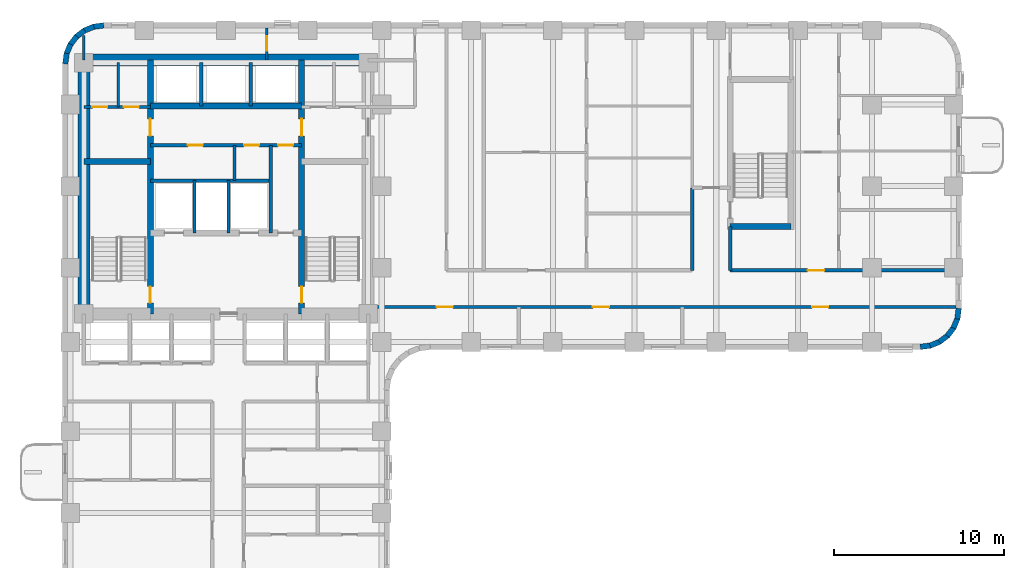
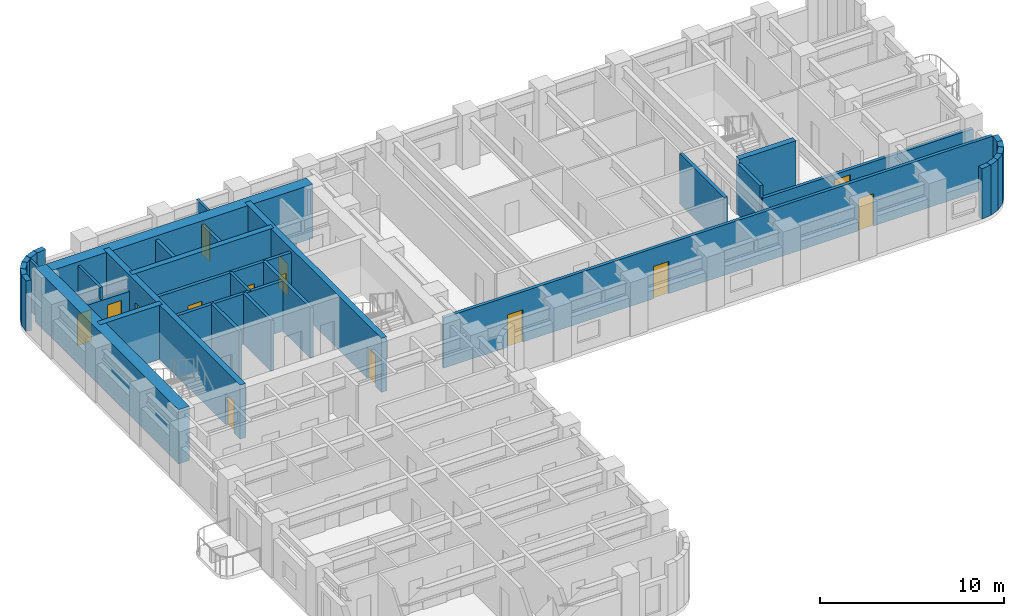
# One storey, part 5 of 11: 35 walls, 14 doors, 14 openings.
"""IFC4 building model written with IfcOpenShell, lengths in metres."""

from ifc_helpers import new_model, si_unit, direction, frame, frame_2d, origin, place, context, subcontext, project, spatial, rectangle, extrude, material, layer, layer_set, type_object, element, fill, save


model = new_model("IFC4")

# Units and contexts
model_context = context("Model", 3, precision=1e-05, world=origin(), true_north=direction((0.0, 1.0)))
body_context = subcontext(model_context, "Body", "Model", "MODEL_VIEW")
ifc_project = project(units=[si_unit("LENGTHUNIT", "METRE"), si_unit("AREAUNIT", "SQUARE_METRE"), si_unit("VOLUMEUNIT", "CUBIC_METRE"), si_unit("PLANEANGLEUNIT", "RADIAN"), si_unit("MASSUNIT", "GRAM", prefix="KILO")], contexts=[model_context])

# Site, building, storey
site_placement = place(None, origin())
site = spatial("IfcSite", under=ifc_project, at=site_placement, CompositionType="ELEMENT")
building_placement = place(site_placement, origin())
building = spatial("IfcBuilding", under=site, at=building_placement, Name="Orvandelia Arch Residences", CompositionType="ELEMENT")
storey_placement = place(building_placement, frame((0.0, 0.0, 61.0)))
storey = spatial("IfcBuildingStorey", under=building, at=storey_placement, Name="L15", CompositionType="ELEMENT", Elevation=61.0)

# Wall, openings, doors
ifc_material_1 = material(Name="Concrete C50/60", Category="concrete")
ifc_layer_1 = layer(ifc_material_1, 0.35009765625, Name="Concrete C50/60", Category="concrete")
ifc_layer_set_1 = layer_set([ifc_layer_1], Name="Concrete C50/60")
wall_type_1 = type_object("IfcWallType", Name="WL-CORE-350", PredefinedType="SHEAR", material=ifc_layer_set_1)
wall_1_placement = place(storey_placement, frame((9.9599609375, 30.89990234375, 0.0), z_axis=(0.0, 0.0, 1.0), x_axis=(0.0, 1.0, 0.0)))
wall_1 = element("IfcWall", 1, at=wall_1_placement, inside=storey, type_object=wall_type_1, Name="Core Shear Wall L15-WEB1", PredefinedType="SHEAR", context=body_context, shape_type="SweptSolid", body=[
    extrude(rectangle(XDim=14.900146484375, YDim=0.35009765625, at=frame_2d((7.4501953125, 0.0))), origin(), (0.0, 0.0, 1.0), 3.60009765625),
])
opening_1_placement = place(wall_1_placement, frame((0.64990234375, 0.0, 0.0)))
opening_1 = element("IfcOpeningElement", 2, at=opening_1_placement, cuts=wall_1, Name="Opening D7", PredefinedType="OPENING", context=body_context, shape_type="SweptSolid", body=[
    extrude(rectangle(XDim=0.949951171875, YDim=2.10009765625, at=frame_2d((0.47509765625, 1.050048828125))), frame((0.0, 0.18505859375, 0.0), z_axis=(0.0, -1.0, 0.0), x_axis=(1.0, 0.0, 0.0)), (0.0, 0.0, 1.0), 0.3701171875),
])
opening_2_placement = place(wall_1_placement, frame((10.449951171875, 0.0, 0.0)))
opening_2 = element("IfcOpeningElement", 3, at=opening_2_placement, cuts=wall_1, Name="Opening D6", PredefinedType="OPENING", context=body_context, shape_type="SweptSolid", body=[
    extrude(rectangle(XDim=1.0, YDim=2.14990234375, at=frame_2d((0.5, 1.074951171875))), frame((0.0, 0.18505859375, 0.0), z_axis=(0.0, -1.0, 0.0), x_axis=(1.0, 0.0, 0.0)), (0.0, 0.0, 1.0), 0.3701171875),
])
ifc_material_2 = material(Name="Smokeproof Painted Steel Fire Door", Category="steel")
door_type_1 = type_object("IfcDoorType", Name="DR-FD60-1000", OperationType="NOTDEFINED", PredefinedType="DOOR", material=ifc_material_2)
door_1_placement = place(opening_2_placement, origin())
door_1 = element("IfcDoor", 4, at=door_1_placement, inside=storey, type_object=door_type_1, Name="High-Rise Lift Hall West Vestibule Door L15", OperationType="SINGLE_SWING_LEFT", OverallHeight=2.14990234375, OverallWidth=1.0, PredefinedType="DOOR", context=body_context, shape_type="SweptSolid", body=[
    extrude(rectangle(XDim=1.0, YDim=2.14990234375, at=frame_2d((0.5, 1.074951171875))), frame((0.0, 0.02490234375, 0.0), z_axis=(0.0, -1.0, 0.0), x_axis=(1.0, 0.0, 0.0)), (0.0, 0.0, 1.0), 0.050048828125),
])
fill(opening_2, door_1)
ifc_material_3 = material(Name="Pressurised Stairwell Fire Door")
door_type_2 = type_object("IfcDoorType", Name="DR-STAIR-950", OperationType="NOTDEFINED", PredefinedType="DOOR", material=ifc_material_3)
door_2_placement = place(opening_1_placement, origin())
door_2 = element("IfcDoor", 5, at=door_2_placement, inside=storey, type_object=door_type_2, Name="Stairwell ST-1 Fire Door L15", OperationType="SINGLE_SWING_LEFT", OverallHeight=2.10009765625, OverallWidth=0.949951171875, PredefinedType="DOOR", context=body_context, shape_type="SweptSolid", body=[
    extrude(rectangle(XDim=0.949951171875, YDim=2.10009765625, at=frame_2d((0.47509765625, 1.050048828125))), frame((0.0, 0.02490234375, 0.0), z_axis=(0.0, -1.0, 0.0), x_axis=(1.0, 0.0, 0.0)), (0.0, 0.0, 1.0), 0.050048828125),
])
fill(opening_1, door_2)

wall_2_placement = place(storey_placement, frame((18.840087890625, 30.89990234375, 0.0), z_axis=(0.0, 0.0, 1.0), x_axis=(0.0, 1.0, 0.0)))
wall_2 = element("IfcWall", 6, at=wall_2_placement, inside=storey, type_object=wall_type_1, Name="Core Shear Wall L15-WEB2", PredefinedType="SHEAR", context=body_context, shape_type="SweptSolid", body=[
    extrude(rectangle(XDim=14.900146484375, YDim=0.35009765625, at=frame_2d((7.4501953125, 0.0))), origin(), (0.0, 0.0, 1.0), 3.60009765625),
])
opening_3_placement = place(wall_2_placement, frame((0.64990234375, 0.0, 0.0)))
opening_3 = element("IfcOpeningElement", 7, at=opening_3_placement, cuts=wall_2, Name="Opening D7", PredefinedType="OPENING", context=body_context, shape_type="SweptSolid", body=[
    extrude(rectangle(XDim=0.949951171875, YDim=2.10009765625, at=frame_2d((0.47509765625, 1.050048828125))), frame((0.0, 0.18505859375, 0.0), z_axis=(0.0, -1.0, 0.0), x_axis=(1.0, 0.0, 0.0)), (0.0, 0.0, 1.0), 0.3701171875),
])
opening_4_placement = place(wall_2_placement, frame((10.449951171875, 0.0, 0.0)))
opening_4 = element("IfcOpeningElement", 8, at=opening_4_placement, cuts=wall_2, Name="Opening D6", PredefinedType="OPENING", context=body_context, shape_type="SweptSolid", body=[
    extrude(rectangle(XDim=1.0, YDim=2.14990234375, at=frame_2d((0.5, 1.074951171875))), frame((0.0, 0.18505859375, 0.0), z_axis=(0.0, -1.0, 0.0), x_axis=(1.0, 0.0, 0.0)), (0.0, 0.0, 1.0), 0.3701171875),
])
door_3_placement = place(opening_4_placement, origin())
door_3 = element("IfcDoor", 9, at=door_3_placement, inside=storey, type_object=door_type_1, Name="High-Rise Lift Hall East Vestibule Door L15", OperationType="SINGLE_SWING_RIGHT", OverallHeight=2.14990234375, OverallWidth=1.0, PredefinedType="DOOR", context=body_context, shape_type="SweptSolid", body=[
    extrude(rectangle(XDim=1.0, YDim=2.14990234375, at=frame_2d((0.5, 1.074951171875))), frame((0.0, 0.02490234375, 0.0), z_axis=(0.0, -1.0, 0.0), x_axis=(1.0, 0.0, 0.0)), (0.0, 0.0, 1.0), 0.050048828125),
])
fill(opening_4, door_3)
door_4_placement = place(opening_3_placement, origin())
door_4 = element("IfcDoor", 10, at=door_4_placement, inside=storey, type_object=door_type_2, Name="Stairwell ST-2 Fire Door L15", OperationType="SINGLE_SWING_RIGHT", OverallHeight=2.10009765625, OverallWidth=0.949951171875, PredefinedType="DOOR", context=body_context, shape_type="SweptSolid", body=[
    extrude(rectangle(XDim=0.949951171875, YDim=2.10009765625, at=frame_2d((0.47509765625, 1.050048828125))), frame((0.0, 0.02490234375, 0.0), z_axis=(0.0, -1.0, 0.0), x_axis=(1.0, 0.0, 0.0)), (0.0, 0.0, 1.0), 0.050048828125),
])
fill(opening_3, door_4)

# Walls
wall_3_placement = place(storey_placement, frame((6.050048828125, 39.85009765625, 0.0), z_axis=(0.0, 0.0, 1.0), x_axis=(1.0, 0.0, 0.0)))
element("IfcWall", 11, at=wall_3_placement, inside=storey, type_object=wall_type_1, Name="Core Shear Wall L15-HZ1", PredefinedType="SHEAR", context=body_context, shape_type="SweptSolid", body=[
    extrude(rectangle(XDim=3.909912109375, YDim=0.35009765625, at=frame_2d((1.955078125, 0.0))), origin(), (0.0, 0.0, 1.0), 3.60009765625),
])
wall_4_placement = place(storey_placement, frame((9.9599609375, 43.10009765625, 0.0), z_axis=(0.0, 0.0, 1.0), x_axis=(1.0, 0.0, 0.0)))
element("IfcWall", 12, at=wall_4_placement, inside=storey, type_object=wall_type_1, Name="Core Shear Wall L15-HZ4", PredefinedType="SHEAR", context=body_context, shape_type="SweptSolid", body=[
    extrude(rectangle(XDim=8.880126953125, YDim=0.35009765625, at=frame_2d((4.43994140625, 0.0))), origin(), (0.0, 0.0, 1.0), 3.60009765625),
])
wall_5_placement = place(storey_placement, frame((44.02001953125, 36.0400390625, 0.0), z_axis=(0.0, 0.0, 1.0), x_axis=(1.0, 0.0, 0.0)))
element("IfcWall", 13, at=wall_5_placement, inside=storey, type_object=wall_type_1, Name="East Stair Core Shear Wall L15-S", PredefinedType="SHEAR", context=body_context, shape_type="SweptSolid", body=[
    extrude(rectangle(XDim=3.580078125, YDim=0.35009765625, at=frame_2d((1.7900390625, 0.0))), origin(), (0.0, 0.0, 1.0), 3.60009765625),
])
ifc_material_4 = material(Name="Concrete C80/95", Category="concrete")
ifc_layer_2 = layer(ifc_material_4, 0.699951171875, Name="Concrete C80/95", Category="concrete")
ifc_layer_set_2 = layer_set([ifc_layer_2], Name="Concrete C80/95")
wall_type_2 = type_object("IfcWallType", Name="WL-CORE-700", PredefinedType="SHEAR", material=ifc_layer_set_2)
wall_6_placement = place(storey_placement, frame((6.050048828125, 30.550048828125, 0.0), z_axis=(0.0, 0.0, 1.0), x_axis=(0.0, 1.0, 0.0)))
element("IfcWall", 14, at=wall_6_placement, inside=storey, type_object=wall_type_2, Name="Core Shear Wall L15-W", PredefinedType="SHEAR", context=body_context, shape_type="SweptSolid", body=[
    extrude(rectangle(XDim=15.599853515625, YDim=0.699951171875, at=frame_2d((7.7998046875, 0.0))), origin(), (0.0, 0.0, 1.0), 3.60009765625),
])
wall_7_placement = place(storey_placement, frame((6.050048828125, 45.800048828125, 0.0), z_axis=(0.0, 0.0, 1.0), x_axis=(1.0, 0.0, 0.0)))
element("IfcWall", 15, at=wall_7_placement, inside=storey, type_object=wall_type_2, Name="Core Shear Wall L15-N", PredefinedType="SHEAR", context=body_context, shape_type="SweptSolid", body=[
    extrude(rectangle(XDim=16.699951171875, YDim=0.699951171875, at=frame_2d((8.35009765625, 0.0))), origin(), (0.0, 0.0, 1.0), 3.60009765625),
])

# Wall, openings, doors
ifc_material_5 = material(Name="Fire-Rated Corridor Partition")
ifc_layer_3 = layer(ifc_material_5, 0.199951171875, Name="Fire-Rated Corridor Partition")
ifc_layer_set_3 = layer_set([ifc_layer_3], Name="Fire-Rated Corridor Partition")
wall_type_3 = type_object("IfcWallType", Name="WL-CORR-200", PredefinedType="PARTITIONING", material=ifc_layer_set_3)
wall_8_placement = place(storey_placement, frame((22.75, 31.300048828125, 0.0), z_axis=(0.0, 0.0, 1.0), x_axis=(1.0, 0.0, 0.0)))
wall_8 = element("IfcWall", 16, at=wall_8_placement, inside=storey, type_object=wall_type_3, Name="Interior Partition Wall WL-L15-ES-S", PredefinedType="PARTITIONING", context=body_context, shape_type="SweptSolid", body=[
    extrude(rectangle(XDim=34.530029296875, YDim=0.199951171875, at=frame_2d((17.26513671875, 0.0))), origin(), (0.0, 0.0, 1.0), 3.35009765625),
])
opening_5_placement = place(wall_8_placement, frame((4.02490234375, 0.0, 0.0)))
opening_5 = element("IfcOpeningElement", 17, at=opening_5_placement, cuts=wall_8, Name="Opening D2", PredefinedType="OPENING", context=body_context, shape_type="SweptSolid", body=[
    extrude(rectangle(XDim=0.949951171875, YDim=2.14990234375, at=frame_2d((0.47509765625, 1.074951171875))), frame((0.0, 0.10986328125, 0.0), z_axis=(0.0, -1.0, 0.0), x_axis=(1.0, 0.0, 0.0)), (0.0, 0.0, 1.0), 0.219970703125),
])
opening_6_placement = place(wall_8_placement, frame((13.199951171875, 0.0, 0.0)))
opening_6 = element("IfcOpeningElement", 18, at=opening_6_placement, cuts=wall_8, Name="Opening D2", PredefinedType="OPENING", context=body_context, shape_type="SweptSolid", body=[
    extrude(rectangle(XDim=0.949951171875, YDim=2.14990234375, at=frame_2d((0.47509765625, 1.074951171875))), frame((0.0, 0.10986328125, 0.0), z_axis=(0.0, -1.0, 0.0), x_axis=(1.0, 0.0, 0.0)), (0.0, 0.0, 1.0), 0.219970703125),
])
opening_7_placement = place(wall_8_placement, frame((26.080078125, 0.0, 0.0)))
opening_7 = element("IfcOpeningElement", 19, at=opening_7_placement, cuts=wall_8, Name="Opening D2", PredefinedType="OPENING", context=body_context, shape_type="SweptSolid", body=[
    extrude(rectangle(XDim=0.949951171875, YDim=2.14990234375, at=frame_2d((0.47509765625, 1.074951171875))), frame((0.0, 0.10986328125, 0.0), z_axis=(0.0, -1.0, 0.0), x_axis=(1.0, 0.0, 0.0)), (0.0, 0.0, 1.0), 0.219970703125),
])
ifc_material_6 = material(Name="Solid-Core Timber Interior Fire Door", Category="wood")
door_type_3 = type_object("IfcDoorType", Name="DR-APT-950", OperationType="NOTDEFINED", PredefinedType="DOOR", material=ifc_material_6)
door_5_placement = place(opening_5_placement, origin())
door_5 = element("IfcDoor", 20, at=door_5_placement, inside=storey, type_object=door_type_3, Name="DR-L15-ESS-1", OperationType="SINGLE_SWING_LEFT", OverallHeight=2.14990234375, OverallWidth=0.949951171875, PredefinedType="DOOR", context=body_context, shape_type="SweptSolid", body=[
    extrude(rectangle(XDim=0.949951171875, YDim=2.14990234375, at=frame_2d((0.47509765625, 1.074951171875))), frame((0.0, 0.02490234375, 0.0), z_axis=(0.0, -1.0, 0.0), x_axis=(1.0, 0.0, 0.0)), (0.0, 0.0, 1.0), 0.050048828125),
])
fill(opening_5, door_5)
door_6_placement = place(opening_6_placement, origin())
door_6 = element("IfcDoor", 21, at=door_6_placement, inside=storey, type_object=door_type_3, Name="DR-L15-ESS-2", OperationType="SINGLE_SWING_RIGHT", OverallHeight=2.14990234375, OverallWidth=0.949951171875, PredefinedType="DOOR", context=body_context, shape_type="SweptSolid", body=[
    extrude(rectangle(XDim=0.949951171875, YDim=2.14990234375, at=frame_2d((0.47509765625, 1.074951171875))), frame((0.0, 0.02490234375, 0.0), z_axis=(0.0, -1.0, 0.0), x_axis=(1.0, 0.0, 0.0)), (0.0, 0.0, 1.0), 0.050048828125),
])
fill(opening_6, door_6)
door_7_placement = place(opening_7_placement, origin())
door_7 = element("IfcDoor", 22, at=door_7_placement, inside=storey, type_object=door_type_3, Name="DR-L15-ESS-3", OperationType="SINGLE_SWING_LEFT", OverallHeight=2.14990234375, OverallWidth=0.949951171875, PredefinedType="DOOR", context=body_context, shape_type="SweptSolid", body=[
    extrude(rectangle(XDim=0.949951171875, YDim=2.14990234375, at=frame_2d((0.47509765625, 1.074951171875))), frame((0.0, 0.02490234375, 0.0), z_axis=(0.0, -1.0, 0.0), x_axis=(1.0, 0.0, 0.0)), (0.0, 0.0, 1.0), 0.050048828125),
])
fill(opening_7, door_7)

# Wall, opening, door
wall_9_placement = place(storey_placement, frame((44.02001953125, 33.449951171875, 0.0), z_axis=(0.0, 0.0, 1.0), x_axis=(1.0, 0.0, 0.0)))
wall_9 = element("IfcWall", 23, at=wall_9_placement, inside=storey, type_object=wall_type_3, Name="Interior Partition Wall WL-L15-ES-N2", PredefinedType="PARTITIONING", context=body_context, shape_type="SweptSolid", body=[
    extrude(rectangle(XDim=13.260009765625, YDim=0.199951171875, at=frame_2d((6.6298828125, 0.0))), origin(), (0.0, 0.0, 1.0), 2.530029296875),
])
opening_8_placement = place(wall_9_placement, frame((4.548583984375, 0.0, 0.0)))
opening_8 = element("IfcOpeningElement", 24, at=opening_8_placement, cuts=wall_9, Name="Opening D1", PredefinedType="OPENING", context=body_context, shape_type="SweptSolid", body=[
    extrude(rectangle(XDim=0.97998046875, YDim=2.179931640625, at=frame_2d((0.489990234375, 1.08984375))), frame((0.0, 0.10986328125, 0.0), z_axis=(0.0, -1.0, 0.0), x_axis=(1.0, 0.0, 0.0)), (0.0, 0.0, 1.0), 0.219970703125),
])
ifc_material_7 = material(Name="Solid-Core Timber Acoustic Fire Door", Category="wood")
door_type_4 = type_object("IfcDoorType", Name="DR-ENT-980", OperationType="NOTDEFINED", PredefinedType="DOOR", material=ifc_material_7)
door_8_placement = place(opening_8_placement, origin())
door_8 = element("IfcDoor", 25, at=door_8_placement, inside=storey, type_object=door_type_4, Name="Unit L15-08 Entrance Door", OperationType="SINGLE_SWING_RIGHT", OverallHeight=2.179931640625, OverallWidth=0.97998046875, PredefinedType="DOOR", context=body_context, shape_type="SweptSolid", body=[
    extrude(rectangle(XDim=0.97998046875, YDim=2.179931640625, at=frame_2d((0.489990234375, 1.08984375))), frame((0.0, 0.02490234375, 0.0), z_axis=(0.0, -1.0, 0.0), x_axis=(1.0, 0.0, 0.0)), (0.0, 0.0, 1.0), 0.050048828125),
])
fill(opening_8, door_8)

# Walls
wall_10_placement = place(storey_placement, frame((41.780029296875, 33.449951171875, 0.0), z_axis=(0.0, 0.0, 1.0), x_axis=(0.0, 1.0, 0.0)))
element("IfcWall", 26, at=wall_10_placement, inside=storey, type_object=wall_type_3, Name="Interior Partition Wall WL-L15-ES-SW", PredefinedType="PARTITIONING", context=body_context, shape_type="SweptSolid", body=[
    extrude(rectangle(XDim=4.85009765625, YDim=0.199951171875, at=frame_2d((2.425048828125, 0.0))), origin(), (0.0, 0.0, 1.0), 3.35009765625),
])
ifc_material_8 = material(Name="Concrete C40/50", Category="concrete")
ifc_layer_4 = layer(ifc_material_8, 0.199951171875, Name="Concrete C40/50", Category="concrete")
ifc_layer_set_4 = layer_set([ifc_layer_4], Name="Concrete C40/50")
wall_type_4 = type_object("IfcWallType", Name="WL-DEM-200", PredefinedType="SOLIDWALL", material=ifc_layer_set_4)
wall_11_placement = place(storey_placement, frame((44.02001953125, 33.449951171875, 0.0), z_axis=(0.0, 0.0, 1.0), x_axis=(0.0, 1.0, 0.0)))
element("IfcWall", 27, at=wall_11_placement, inside=storey, type_object=wall_type_4, Name="Interior Partition Wall WL-L15-ES-NST3S", PredefinedType="SOLIDWALL", context=body_context, shape_type="SweptSolid", body=[
    extrude(rectangle(XDim=2.590087890625, YDim=0.199951171875, at=frame_2d((1.294921875, 0.0))), origin(), (0.0, 0.0, 1.0), 3.35009765625),
])
ifc_material_9 = material(Name="Precast concrete C40/50", Category="concrete")
ifc_layer_5 = layer(ifc_material_9, 0.320068359375, Name="Precast concrete C40/50", Category="concrete")
ifc_layer_set_5 = layer_set([ifc_layer_5], Name="Precast concrete C40/50")
wall_type_5 = type_object("IfcWallType", Name="WL-EXT-STONE-320", PredefinedType="STANDARD", material=ifc_layer_set_5)
for number, where, z_axis, x_axis, name in (
    (28, (4.95849609375, 45.5791015625, 0.0), (0.0, 0.0, 1.0), (0.130555323746, 0.9914410257, 0.0), "Coral-Limestone Precast Facade Wall L15-001"),
    (29, (5.029541015625, 46.159912109375, 0.0), (0.0, 0.0, 1.0), (0.382650053678, 0.92389335771, 0.0), "Coral-Limestone Precast Facade Wall L15-002"),
):
    element("IfcWall", number, at=place(storey_placement, frame(where, z_axis=z_axis, x_axis=x_axis)), inside=storey, type_object=wall_type_5, Name=name, PredefinedType="STANDARD", context=body_context, shape_type="SweptSolid", body=[
        extrude(rectangle(XDim=0.62646484375, YDim=0.320068359375, at=frame_2d((0.313232421875, 0.0))), origin(), (0.0, 0.0, 1.0), 3.35009765625),
    ])
wall_12_placement = place(storey_placement, frame((5.248291015625, 46.70263671875, 0.0), z_axis=(0.0, 0.0, 1.0), x_axis=(0.608938521285, 0.7932174212, 0.0)))
element("IfcWall", 30, at=wall_12_placement, inside=storey, type_object=wall_type_5, Name="Coral-Limestone Precast Facade Wall L15-003", PredefinedType="STANDARD", context=body_context, shape_type="SweptSolid", body=[
    extrude(rectangle(XDim=0.626708984375, YDim=0.320068359375, at=frame_2d((0.3134765625, 0.0))), origin(), (0.0, 0.0, 1.0), 3.35009765625),
])
wall_13_placement = place(storey_placement, frame((5.600341796875, 47.170166015625, 0.0), z_axis=(0.0, 0.0, 1.0), x_axis=(0.793405610854, 0.608693302629, 0.0)))
element("IfcWall", 31, at=wall_13_placement, inside=storey, type_object=wall_type_5, Name="Coral-Limestone Precast Facade Wall L15-004", PredefinedType="STANDARD", context=body_context, shape_type="SweptSolid", body=[
    extrude(rectangle(XDim=0.62646484375, YDim=0.320068359375, at=frame_2d((0.313232421875, 0.0))), origin(), (0.0, 0.0, 1.0), 3.35009765625),
])
wall_14_placement = place(storey_placement, frame((6.061279296875, 47.53076171875, 0.0), z_axis=(0.0, 0.0, 1.0), x_axis=(0.923836271867, 0.382787856107, 0.0)))
element("IfcWall", 32, at=wall_14_placement, inside=storey, type_object=wall_type_5, Name="Coral-Limestone Precast Facade Wall L15-005", PredefinedType="STANDARD", context=body_context, shape_type="SweptSolid", body=[
    extrude(rectangle(XDim=0.626220703125, YDim=0.320068359375, at=frame_2d((0.31298828125, 0.0))), origin(), (0.0, 0.0, 1.0), 3.35009765625),
])
for number, where, z_axis, x_axis, name in (
    (33, (6.599609375, 47.759521484375, 0.0), (0.0, 0.0, 1.0), (0.991447664465, 0.130504898859, 0.0), "Coral-Limestone Precast Facade Wall L15-006"),
    (34, (57.44140625, 31.220947265625, 0.0), (0.0, 0.0, 1.0), (-0.130504898859, -0.991447664465, 0.0), "Coral-Limestone Precast Facade Wall L15-015"),
):
    element("IfcWall", number, at=place(storey_placement, frame(where, z_axis=z_axis, x_axis=x_axis)), inside=storey, type_object=wall_type_5, Name=name, PredefinedType="STANDARD", context=body_context, shape_type="SweptSolid", body=[
        extrude(rectangle(XDim=0.626708984375, YDim=0.320068359375, at=frame_2d((0.3134765625, 0.0))), origin(), (0.0, 0.0, 1.0), 3.35009765625),
    ])
wall_15_placement = place(storey_placement, frame((57.370361328125, 30.639892578125, 0.0), z_axis=(0.0, 0.0, 1.0), x_axis=(-0.382787856107, -0.923836271867, 0.0)))
element("IfcWall", 35, at=wall_15_placement, inside=storey, type_object=wall_type_5, Name="Coral-Limestone Precast Facade Wall L15-016", PredefinedType="STANDARD", context=body_context, shape_type="SweptSolid", body=[
    extrude(rectangle(XDim=0.626220703125, YDim=0.320068359375, at=frame_2d((0.31298828125, 0.0))), origin(), (0.0, 0.0, 1.0), 3.35009765625),
])
wall_16_placement = place(storey_placement, frame((57.151611328125, 30.097412109375, 0.0), z_axis=(0.0, 0.0, 1.0), x_axis=(-0.608693302629, -0.793405610854, 0.0)))
element("IfcWall", 36, at=wall_16_placement, inside=storey, type_object=wall_type_5, Name="Coral-Limestone Precast Facade Wall L15-017", PredefinedType="STANDARD", context=body_context, shape_type="SweptSolid", body=[
    extrude(rectangle(XDim=0.62646484375, YDim=0.320068359375, at=frame_2d((0.313232421875, 0.0))), origin(), (0.0, 0.0, 1.0), 3.35009765625),
])
wall_17_placement = place(storey_placement, frame((56.7998046875, 29.6298828125, 0.0), z_axis=(0.0, 0.0, 1.0), x_axis=(-0.793361818833, -0.608750379399, 0.0)))
element("IfcWall", 37, at=wall_17_placement, inside=storey, type_object=wall_type_5, Name="Coral-Limestone Precast Facade Wall L15-018", PredefinedType="STANDARD", context=body_context, shape_type="SweptSolid", body=[
    extrude(rectangle(XDim=0.626953125, YDim=0.320068359375, at=frame_2d((0.3134765625, 0.0))), origin(), (0.0, 0.0, 1.0), 3.35009765625),
])
for number, where, z_axis, x_axis, name in (
    (38, (56.3388671875, 29.269287109375, 0.0), (0.0, 0.0, 1.0), (-0.92389335771, -0.382650053678, 0.0), "Coral-Limestone Precast Facade Wall L15-019"),
    (39, (55.80029296875, 29.040283203125, 0.0), (0.0, 0.0, 1.0), (-0.9914410257, -0.130555323746, 0.0), "Coral-Limestone Precast Facade Wall L15-020"),
):
    element("IfcWall", number, at=place(storey_placement, frame(where, z_axis=z_axis, x_axis=x_axis)), inside=storey, type_object=wall_type_5, Name=name, PredefinedType="STANDARD", context=body_context, shape_type="SweptSolid", body=[
        extrude(rectangle(XDim=0.62646484375, YDim=0.320068359375, at=frame_2d((0.313232421875, 0.0))), origin(), (0.0, 0.0, 1.0), 3.35009765625),
    ])
ifc_material_10 = material(Name="Acoustic Gypsum Stud Partition")
ifc_layer_6 = layer(ifc_material_10, 0.14990234375, Name="Acoustic Gypsum Stud Partition")
ifc_layer_set_6 = layer_set([ifc_layer_6], Name="Acoustic Gypsum Stud Partition")
wall_type_6 = type_object("IfcWallType", Name="WL-PART-150", PredefinedType="PARTITIONING", material=ifc_layer_set_6)
wall_18_placement = place(storey_placement, frame((8.06005859375, 43.050048828125, 0.0), z_axis=(0.0, 0.0, 1.0), x_axis=(0.0, 1.0, 0.0)))
element("IfcWall", 40, at=wall_18_placement, inside=storey, type_object=wall_type_6, Name="Interior Partition Wall WL-L15-CRELC-M", PredefinedType="PARTITIONING", context=body_context, shape_type="SweptSolid", body=[
    extrude(rectangle(XDim=2.599853515625, YDim=0.14990234375, at=frame_2d((1.2998046875, 0.0))), origin(), (0.0, 0.0, 1.0), 3.35009765625),
])
wall_19_placement = place(storey_placement, frame((14.89990234375, 38.719970703125, 0.0), z_axis=(0.0, 0.0, 1.0), x_axis=(0.0, 1.0, 0.0)))
element("IfcWall", 41, at=wall_19_placement, inside=storey, type_object=wall_type_6, Name="Interior Partition Wall WL-L15-CSA-1", PredefinedType="PARTITIONING", context=body_context, shape_type="SweptSolid", body=[
    extrude(rectangle(XDim=2.080078125, YDim=0.14990234375, at=frame_2d((1.0400390625, 0.0))), origin(), (0.0, 0.0, 1.0), 3.35009765625),
])
wall_20_placement = place(storey_placement, frame((6.050048828125, 45.800048828125, 0.0), z_axis=(0.0, 0.0, 1.0), x_axis=(0.0, 1.0, 0.0)))
element("IfcWall", 42, at=wall_20_placement, inside=storey, type_object=wall_type_6, Name="Interior Partition Wall WL-L15-NC-W6", PredefinedType="PARTITIONING", context=body_context, shape_type="SweptSolid", body=[
    extrude(rectangle(XDim=1.4599609375, YDim=0.14990234375, at=frame_2d((0.72998046875, 0.0))), origin(), (0.0, 0.0, 1.0), 3.35009765625),
])

# Wall, opening, door
wall_21_placement = place(storey_placement, frame((16.800048828125, 45.800048828125, 0.0), z_axis=(0.0, 0.0, 1.0), x_axis=(0.0, 1.0, 0.0)))
wall_21 = element("IfcWall", 43, at=wall_21_placement, inside=storey, type_object=wall_type_6, Name="Interior Partition Wall WL-L15-NC-M", PredefinedType="PARTITIONING", context=body_context, shape_type="SweptSolid", body=[
    extrude(rectangle(XDim=1.8798828125, YDim=0.14990234375, at=frame_2d((0.93994140625, 0.0))), origin(), (0.0, 0.0, 1.0), 3.35009765625),
])
opening_9_placement = place(wall_21_placement, frame((0.550048828125, 0.0, 0.0)))
opening_9 = element("IfcOpeningElement", 44, at=opening_9_placement, cuts=wall_21, Name="Opening D4", PredefinedType="OPENING", context=body_context, shape_type="SweptSolid", body=[
    extrude(rectangle(XDim=0.860107421875, YDim=2.10009765625, at=frame_2d((0.43017578125, 1.050048828125))), frame((0.0, 0.0849609375, 0.0), z_axis=(0.0, -1.0, 0.0), x_axis=(1.0, 0.0, 0.0)), (0.0, 0.0, 1.0), 0.169921875),
])
ifc_material_11 = material(Name="Moisture-Sealed Timber Bathroom Door", Category="wood")
door_type_5 = type_object("IfcDoorType", Name="DR-WET-900", OperationType="NOTDEFINED", PredefinedType="DOOR", material=ifc_material_11)
door_9_placement = place(opening_9_placement, origin())
door_9 = element("IfcDoor", 45, at=door_9_placement, inside=storey, type_object=door_type_5, Name="DR-L15-NCS1", OperationType="SINGLE_SWING_LEFT", OverallHeight=2.10009765625, OverallWidth=0.860107421875, PredefinedType="DOOR", context=body_context, shape_type="SweptSolid", body=[
    extrude(rectangle(XDim=0.860107421875, YDim=2.10009765625, at=frame_2d((0.43017578125, 1.050048828125))), frame((0.0, 0.02490234375, 0.0), z_axis=(0.0, -1.0, 0.0), x_axis=(1.0, 0.0, 0.0)), (0.0, 0.0, 1.0), 0.050048828125),
])
fill(opening_9, door_9)

# Walls
ifc_material_12 = material(Name="Fire-Rated Shaft Enclosure Wall")
ifc_layer_7 = layer(ifc_material_12, 0.199951171875, Name="Fire-Rated Shaft Enclosure Wall")
ifc_layer_set_7 = layer_set([ifc_layer_7], Name="Fire-Rated Shaft Enclosure Wall")
wall_type_7 = type_object("IfcWallType", Name="WL-SHAFT-200", PredefinedType="POLYGONAL", material=ifc_layer_set_7)
wall_22_placement = place(storey_placement, frame((9.9599609375, 38.719970703125, 0.0), z_axis=(0.0, 0.0, 1.0), x_axis=(1.0, 0.0, 0.0)))
element("IfcWall", 46, at=wall_22_placement, inside=storey, type_object=wall_type_7, Name="Interior Partition Wall WL-L15-FLN", PredefinedType="POLYGONAL", context=body_context, shape_type="SweptSolid", body=[
    extrude(rectangle(XDim=7.06005859375, YDim=0.199951171875, at=frame_2d((3.530029296875, 0.0))), origin(), (0.0, 0.0, 1.0), 3.35009765625),
])
for number, where, z_axis, x_axis, name in (
    (47, (12.550048828125, 35.64990234375, 0.0), (0.0, 0.0, 1.0), (0.0, 1.0, 0.0), "Interior Partition Wall WL-L15-FLM1"),
    (48, (14.550048828125, 35.64990234375, 0.0), (0.0, 0.0, 1.0), (0.0, 1.0, 0.0), "Interior Partition Wall WL-L15-FLM2"),
):
    element("IfcWall", number, at=place(storey_placement, frame(where, z_axis=z_axis, x_axis=x_axis)), inside=storey, type_object=wall_type_7, Name=name, PredefinedType="POLYGONAL", context=body_context, shape_type="SweptSolid", body=[
        extrude(rectangle(XDim=3.070068359375, YDim=0.199951171875, at=frame_2d((1.53515625, 0.0))), origin(), (0.0, 0.0, 1.0), 3.35009765625),
    ])
wall_23_placement = place(storey_placement, frame((17.02001953125, 35.64990234375, 0.0), z_axis=(0.0, 0.0, 1.0), x_axis=(0.0, 1.0, 0.0)))
element("IfcWall", 49, at=wall_23_placement, inside=storey, type_object=wall_type_7, Name="Interior Partition Wall WL-L15-FLM3", PredefinedType="POLYGONAL", context=body_context, shape_type="SweptSolid", body=[
    extrude(rectangle(XDim=5.150146484375, YDim=0.199951171875, at=frame_2d((2.5751953125, 0.0))), origin(), (0.0, 0.0, 1.0), 3.35009765625),
])

# Wall, openings, doors
wall_24_placement = place(storey_placement, frame((9.9599609375, 40.800048828125, 0.0), z_axis=(0.0, 0.0, 1.0), x_axis=(1.0, 0.0, 0.0)))
wall_24 = element("IfcWall", 50, at=wall_24_placement, inside=storey, type_object=wall_type_7, Name="Interior Partition Wall WL-L15-HLH-S", PredefinedType="POLYGONAL", context=body_context, shape_type="SweptSolid", body=[
    extrude(rectangle(XDim=8.880126953125, YDim=0.199951171875, at=frame_2d((4.43994140625, 0.0))), origin(), (0.0, 0.0, 1.0), 3.35009765625),
])
opening_10_placement = place(wall_24_placement, frame((7.5, 0.0, 0.0)))
opening_10 = element("IfcOpeningElement", 51, at=opening_10_placement, cuts=wall_24, Name="Opening D5", PredefinedType="OPENING", context=body_context, shape_type="SweptSolid", body=[
    extrude(rectangle(XDim=0.8798828125, YDim=2.10009765625, at=frame_2d((0.43994140625, 1.050048828125))), frame((0.0, 0.10986328125, 0.0), z_axis=(0.0, -1.0, 0.0), x_axis=(1.0, 0.0, 0.0)), (0.0, 0.0, 1.0), 0.219970703125),
])
opening_11_placement = place(wall_24_placement, frame((2.199951171875, 0.0, 0.0)))
opening_11 = element("IfcOpeningElement", 52, at=opening_11_placement, cuts=wall_24, Name="Opening D5", PredefinedType="OPENING", context=body_context, shape_type="SweptSolid", body=[
    extrude(rectangle(XDim=0.8798828125, YDim=2.10009765625, at=frame_2d((0.43994140625, 1.050048828125))), frame((0.0, 0.10986328125, 0.0), z_axis=(0.0, -1.0, 0.0), x_axis=(1.0, 0.0, 0.0)), (0.0, 0.0, 1.0), 0.219970703125),
])
opening_12_placement = place(wall_24_placement, frame((5.5, 0.0, 0.0)))
opening_12 = element("IfcOpeningElement", 53, at=opening_12_placement, cuts=wall_24, Name="Opening D5", PredefinedType="OPENING", context=body_context, shape_type="SweptSolid", body=[
    extrude(rectangle(XDim=0.8798828125, YDim=2.10009765625, at=frame_2d((0.43994140625, 1.050048828125))), frame((0.0, 0.10986328125, 0.0), z_axis=(0.0, -1.0, 0.0), x_axis=(1.0, 0.0, 0.0)), (0.0, 0.0, 1.0), 0.219970703125),
])
ifc_material_13 = material(Name="Painted Galvanised Steel Service Door", Category="steel")
door_type_6 = type_object("IfcDoorType", Name="DR-SRV-880", OperationType="NOTDEFINED", PredefinedType="DOOR", material=ifc_material_13)
door_10_placement = place(opening_10_placement, origin())
door_10 = element("IfcDoor", 54, at=door_10_placement, inside=storey, type_object=door_type_6, Name="Core Stairway Passage North Fire Door L15", OperationType="SINGLE_SWING_RIGHT", OverallHeight=2.10009765625, OverallWidth=0.8798828125, PredefinedType="DOOR", context=body_context, shape_type="SweptSolid", body=[
    extrude(rectangle(XDim=0.8798828125, YDim=2.10009765625, at=frame_2d((0.43994140625, 1.050048828125))), frame((0.0, 0.02490234375, 0.0), z_axis=(0.0, -1.0, 0.0), x_axis=(1.0, 0.0, 0.0)), (0.0, 0.0, 1.0), 0.050048828125),
])
fill(opening_10, door_10)
door_11_placement = place(opening_11_placement, origin())
door_11 = element("IfcDoor", 55, at=door_11_placement, inside=storey, type_object=door_type_6, Name="DR-L15-CSA1", OperationType="SINGLE_SWING_RIGHT", OverallHeight=2.10009765625, OverallWidth=0.8798828125, PredefinedType="DOOR", context=body_context, shape_type="SweptSolid", body=[
    extrude(rectangle(XDim=0.8798828125, YDim=2.10009765625, at=frame_2d((0.43994140625, 1.050048828125))), frame((0.0, 0.02490234375, 0.0), z_axis=(0.0, -1.0, 0.0), x_axis=(1.0, 0.0, 0.0)), (0.0, 0.0, 1.0), 0.050048828125),
])
fill(opening_11, door_11)
door_12_placement = place(opening_12_placement, origin())
door_12 = element("IfcDoor", 56, at=door_12_placement, inside=storey, type_object=door_type_6, Name="DR-L15-CSA2", OperationType="SINGLE_SWING_LEFT", OverallHeight=2.10009765625, OverallWidth=0.8798828125, PredefinedType="DOOR", context=body_context, shape_type="SweptSolid", body=[
    extrude(rectangle(XDim=0.8798828125, YDim=2.10009765625, at=frame_2d((0.43994140625, 1.050048828125))), frame((0.0, 0.02490234375, 0.0), z_axis=(0.0, -1.0, 0.0), x_axis=(1.0, 0.0, 0.0)), (0.0, 0.0, 1.0), 0.050048828125),
])
fill(opening_12, door_12)

wall_25_placement = place(storey_placement, frame((6.050048828125, 43.050048828125, 0.0), z_axis=(0.0, 0.0, 1.0), x_axis=(1.0, 0.0, 0.0)))
wall_25 = element("IfcWall", 57, at=wall_25_placement, inside=storey, type_object=wall_type_7, Name="Interior Partition Wall WL-L15-HLW-N", PredefinedType="POLYGONAL", context=body_context, shape_type="SweptSolid", body=[
    extrude(rectangle(XDim=3.909912109375, YDim=0.199951171875, at=frame_2d((1.955078125, 0.0))), origin(), (0.0, 0.0, 1.0), 2.530029296875),
])
opening_13_placement = place(wall_25_placement, frame((0.5, 0.0, 0.0)))
opening_13 = element("IfcOpeningElement", 58, at=opening_13_placement, cuts=wall_25, Name="Opening D5", PredefinedType="OPENING", context=body_context, shape_type="SweptSolid", body=[
    extrude(rectangle(XDim=0.8798828125, YDim=2.10009765625, at=frame_2d((0.43994140625, 1.050048828125))), frame((0.0, 0.10986328125, 0.0), z_axis=(0.0, -1.0, 0.0), x_axis=(1.0, 0.0, 0.0)), (0.0, 0.0, 1.0), 0.219970703125),
])
opening_14_placement = place(wall_25_placement, frame((2.35009765625, 0.0, 0.0)))
opening_14 = element("IfcOpeningElement", 59, at=opening_14_placement, cuts=wall_25, Name="Opening D5", PredefinedType="OPENING", context=body_context, shape_type="SweptSolid", body=[
    extrude(rectangle(XDim=0.8798828125, YDim=2.10009765625, at=frame_2d((0.43994140625, 1.050048828125))), frame((0.0, 0.10986328125, 0.0), z_axis=(0.0, -1.0, 0.0), x_axis=(1.0, 0.0, 0.0)), (0.0, 0.0, 1.0), 0.219970703125),
])
door_13_placement = place(opening_13_placement, origin())
door_13 = element("IfcDoor", 60, at=door_13_placement, inside=storey, type_object=door_type_6, Name="DR-L15-CRELC1", OperationType="SINGLE_SWING_LEFT", OverallHeight=2.10009765625, OverallWidth=0.8798828125, PredefinedType="DOOR", context=body_context, shape_type="SweptSolid", body=[
    extrude(rectangle(XDim=0.8798828125, YDim=2.10009765625, at=frame_2d((0.43994140625, 1.050048828125))), frame((0.0, 0.02490234375, 0.0), z_axis=(0.0, -1.0, 0.0), x_axis=(1.0, 0.0, 0.0)), (0.0, 0.0, 1.0), 0.050048828125),
])
fill(opening_13, door_13)
door_14_placement = place(opening_14_placement, origin())
door_14 = element("IfcDoor", 61, at=door_14_placement, inside=storey, type_object=door_type_6, Name="DR-L15-CRELC2", OperationType="SINGLE_SWING_RIGHT", OverallHeight=2.10009765625, OverallWidth=0.8798828125, PredefinedType="DOOR", context=body_context, shape_type="SweptSolid", body=[
    extrude(rectangle(XDim=0.8798828125, YDim=2.10009765625, at=frame_2d((0.43994140625, 1.050048828125))), frame((0.0, 0.02490234375, 0.0), z_axis=(0.0, -1.0, 0.0), x_axis=(1.0, 0.0, 0.0)), (0.0, 0.0, 1.0), 0.050048828125),
])
fill(opening_14, door_14)

# Walls
for number, where, z_axis, x_axis, name in (
    (62, (12.949951171875, 43.10009765625, 0.0), (0.0, 0.0, 1.0), (0.0, 1.0, 0.0), "Interior Partition Wall WL-L15-PHD1"),
    (63, (15.85009765625, 43.10009765625, 0.0), (0.0, 0.0, 1.0), (0.0, 1.0, 0.0), "Interior Partition Wall WL-L15-PHD2"),
):
    element("IfcWall", number, at=place(storey_placement, frame(where, z_axis=z_axis, x_axis=x_axis)), inside=storey, type_object=wall_type_7, Name=name, PredefinedType="POLYGONAL", context=body_context, shape_type="SweptSolid", body=[
        extrude(rectangle(XDim=2.5498046875, YDim=0.199951171875, at=frame_2d((1.27490234375, 0.0))), origin(), (0.0, 0.0, 1.0), 3.35009765625),
    ])

save(model, "model.ifc")
